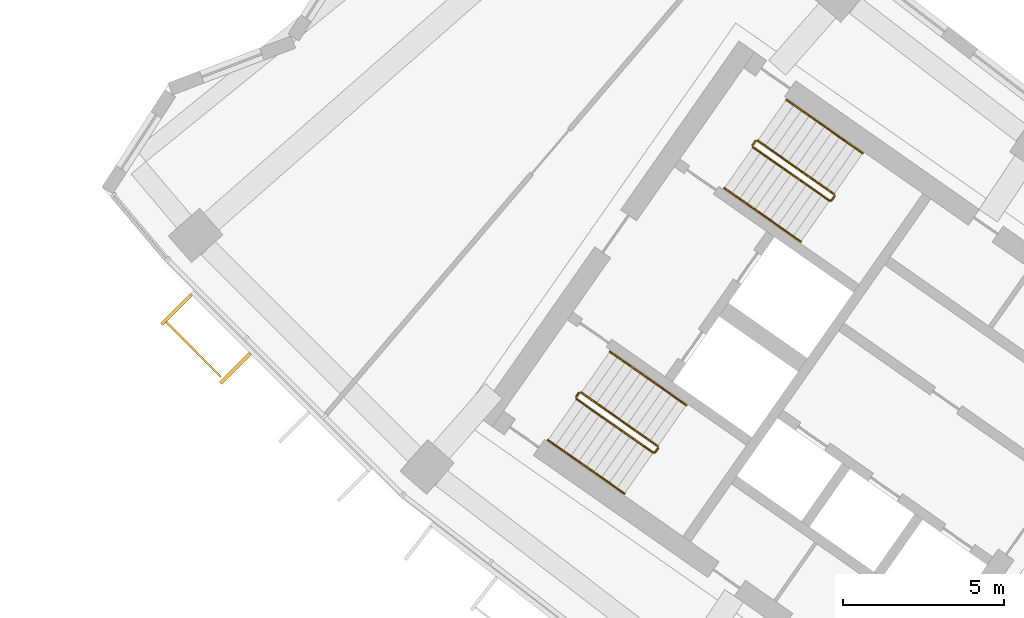
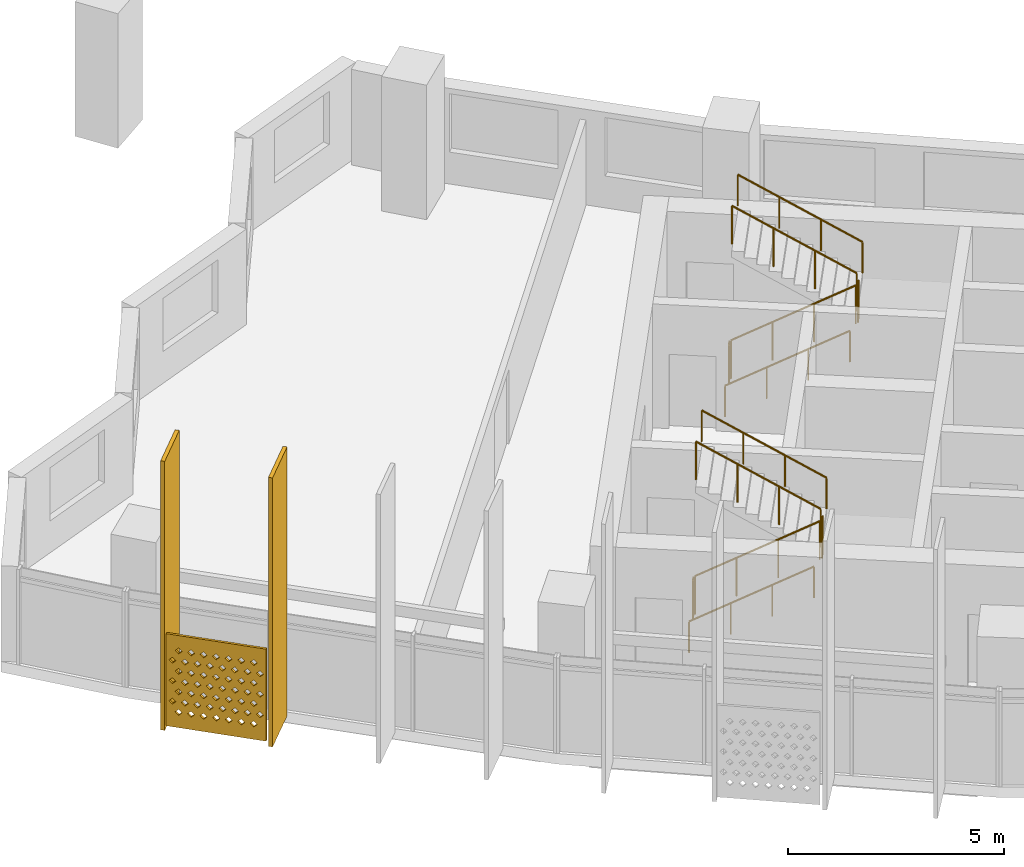
# One storey, part 24 of 27: 10 railings, 3 shading devices.
"""IFC4 building model written with IfcOpenShell, lengths in metres."""

from ifc_helpers import new_model, si_unit, direction, frame, origin, origin_2d, place, context, subcontext, project, spatial, polyline, rectangle, circle, outline, extrude, material, material_profile, profile_set, type_object, element, save


model = new_model("IFC4")

# Units and contexts
model_context = context("Model", 3, precision=1e-05, world=origin(), true_north=direction((0.0, 1.0)))
body_context = subcontext(model_context, "Body", "Model", "MODEL_VIEW")
ifc_project = project(units=[si_unit("LENGTHUNIT", "METRE"), si_unit("AREAUNIT", "SQUARE_METRE"), si_unit("VOLUMEUNIT", "CUBIC_METRE"), si_unit("PLANEANGLEUNIT", "RADIAN"), si_unit("MASSUNIT", "GRAM", prefix="KILO")], contexts=[model_context])

# Site, building, storey
site_placement = place(None, origin())
site = spatial("IfcSite", under=ifc_project, at=site_placement, CompositionType="ELEMENT")
building_placement = place(site_placement, origin())
building = spatial("IfcBuilding", under=site, at=building_placement, Name="Qamariyya Broadcast Tower", CompositionType="ELEMENT")
storey_placement = place(building_placement, frame((0.0, 0.0, 179.699951171875)))
storey = spatial("IfcBuildingStorey", under=building, at=storey_placement, Name="L42", CompositionType="ELEMENT", Elevation=179.699951171875)

# Shading device
ifc_material_1 = material(Name="Perforated glazed terracotta", Category="masonry")
ifc_material_profile_1 = material_profile(ifc_material_1, outline(polyline([(-1.199951171875, -1.300048828125), (1.199951171875, -1.300048828125), (1.199951171875, 1.300048828125), (-1.199951171875, 1.300048828125), (-1.199951171875, -1.300048828125)]), holes=[polyline([(-0.81494140625, -0.86669921875), (-0.89990234375, -0.78173828125), (-0.985107421875, -0.86669921875), (-0.89990234375, -0.95166015625), (-0.81494140625, -0.86669921875)]), polyline([(-0.514892578125, -0.86669921875), (-0.60009765625, -0.78173828125), (-0.68505859375, -0.86669921875), (-0.60009765625, -0.95166015625), (-0.514892578125, -0.86669921875)]), polyline([(-0.215087890625, -0.86669921875), (-0.300048828125, -0.78173828125), (-0.385009765625, -0.86669921875), (-0.300048828125, -0.95166015625), (-0.215087890625, -0.86669921875)]), polyline([(0.0849609375, -0.86669921875), (0.0, -0.78173828125), (-0.0849609375, -0.86669921875), (0.0, -0.95166015625), (0.0849609375, -0.86669921875)]), polyline([(0.385009765625, -0.86669921875), (0.300048828125, -0.78173828125), (0.215087890625, -0.86669921875), (0.300048828125, -0.95166015625), (0.385009765625, -0.86669921875)]), polyline([(0.68505859375, -0.86669921875), (0.60009765625, -0.78173828125), (0.514892578125, -0.86669921875), (0.60009765625, -0.95166015625), (0.68505859375, -0.86669921875)]), polyline([(0.985107421875, -0.86669921875), (0.89990234375, -0.78173828125), (0.81494140625, -0.86669921875), (0.89990234375, -0.95166015625), (0.985107421875, -0.86669921875)]), polyline([(-0.965087890625, -0.577880859375), (-1.050048828125, -0.49267578125), (-1.135009765625, -0.577880859375), (-1.050048828125, -0.662841796875), (-0.965087890625, -0.577880859375)]), polyline([(-0.6650390625, -0.577880859375), (-0.75, -0.49267578125), (-0.8349609375, -0.577880859375), (-0.75, -0.662841796875), (-0.6650390625, -0.577880859375)]), polyline([(-0.364990234375, -0.577880859375), (-0.449951171875, -0.49267578125), (-0.534912109375, -0.577880859375), (-0.449951171875, -0.662841796875), (-0.364990234375, -0.577880859375)]), polyline([(-0.06494140625, -0.577880859375), (-0.14990234375, -0.49267578125), (-0.235107421875, -0.577880859375), (-0.14990234375, -0.662841796875), (-0.06494140625, -0.577880859375)]), polyline([(0.235107421875, -0.577880859375), (0.14990234375, -0.49267578125), (0.06494140625, -0.577880859375), (0.14990234375, -0.662841796875), (0.235107421875, -0.577880859375)]), polyline([(0.534912109375, -0.577880859375), (0.449951171875, -0.49267578125), (0.364990234375, -0.577880859375), (0.449951171875, -0.662841796875), (0.534912109375, -0.577880859375)]), polyline([(0.8349609375, -0.577880859375), (0.75, -0.49267578125), (0.6650390625, -0.577880859375), (0.75, -0.662841796875), (0.8349609375, -0.577880859375)]), polyline([(1.135009765625, -0.577880859375), (1.050048828125, -0.49267578125), (0.965087890625, -0.577880859375), (1.050048828125, -0.662841796875), (1.135009765625, -0.577880859375)]), polyline([(-0.81494140625, -0.288818359375), (-0.89990234375, -0.203857421875), (-0.985107421875, -0.288818359375), (-0.89990234375, -0.373779296875), (-0.81494140625, -0.288818359375)]), polyline([(-0.514892578125, -0.288818359375), (-0.60009765625, -0.203857421875), (-0.68505859375, -0.288818359375), (-0.60009765625, -0.373779296875), (-0.514892578125, -0.288818359375)]), polyline([(-0.215087890625, -0.288818359375), (-0.300048828125, -0.203857421875), (-0.385009765625, -0.288818359375), (-0.300048828125, -0.373779296875), (-0.215087890625, -0.288818359375)]), polyline([(0.0849609375, -0.288818359375), (0.0, -0.203857421875), (-0.0849609375, -0.288818359375), (0.0, -0.373779296875), (0.0849609375, -0.288818359375)]), polyline([(0.385009765625, -0.288818359375), (0.300048828125, -0.203857421875), (0.215087890625, -0.288818359375), (0.300048828125, -0.373779296875), (0.385009765625, -0.288818359375)]), polyline([(0.68505859375, -0.288818359375), (0.60009765625, -0.203857421875), (0.514892578125, -0.288818359375), (0.60009765625, -0.373779296875), (0.68505859375, -0.288818359375)]), polyline([(0.985107421875, -0.288818359375), (0.89990234375, -0.203857421875), (0.81494140625, -0.288818359375), (0.89990234375, -0.373779296875), (0.985107421875, -0.288818359375)]), polyline([(-0.965087890625, 0.0), (-1.050048828125, 0.0849609375), (-1.135009765625, 0.0), (-1.050048828125, -0.0849609375), (-0.965087890625, 0.0)]), polyline([(-0.6650390625, 0.0), (-0.75, 0.0849609375), (-0.8349609375, 0.0), (-0.75, -0.0849609375), (-0.6650390625, 0.0)]), polyline([(-0.364990234375, 0.0), (-0.449951171875, 0.0849609375), (-0.534912109375, 0.0), (-0.449951171875, -0.0849609375), (-0.364990234375, 0.0)]), polyline([(-0.06494140625, 0.0), (-0.14990234375, 0.0849609375), (-0.235107421875, 0.0), (-0.14990234375, -0.0849609375), (-0.06494140625, 0.0)]), polyline([(0.235107421875, 0.0), (0.14990234375, 0.0849609375), (0.06494140625, 0.0), (0.14990234375, -0.0849609375), (0.235107421875, 0.0)]), polyline([(0.534912109375, 0.0), (0.449951171875, 0.0849609375), (0.364990234375, 0.0), (0.449951171875, -0.0849609375), (0.534912109375, 0.0)]), polyline([(0.8349609375, 0.0), (0.75, 0.0849609375), (0.6650390625, 0.0), (0.75, -0.0849609375), (0.8349609375, 0.0)]), polyline([(1.135009765625, 0.0), (1.050048828125, 0.0849609375), (0.965087890625, 0.0), (1.050048828125, -0.0849609375), (1.135009765625, 0.0)]), polyline([(-0.81494140625, 0.288818359375), (-0.89990234375, 0.373779296875), (-0.985107421875, 0.288818359375), (-0.89990234375, 0.203857421875), (-0.81494140625, 0.288818359375)]), polyline([(-0.514892578125, 0.288818359375), (-0.60009765625, 0.373779296875), (-0.68505859375, 0.288818359375), (-0.60009765625, 0.203857421875), (-0.514892578125, 0.288818359375)]), polyline([(-0.215087890625, 0.288818359375), (-0.300048828125, 0.373779296875), (-0.385009765625, 0.288818359375), (-0.300048828125, 0.203857421875), (-0.215087890625, 0.288818359375)]), polyline([(0.0849609375, 0.288818359375), (0.0, 0.373779296875), (-0.0849609375, 0.288818359375), (0.0, 0.203857421875), (0.0849609375, 0.288818359375)]), polyline([(0.385009765625, 0.288818359375), (0.300048828125, 0.373779296875), (0.215087890625, 0.288818359375), (0.300048828125, 0.203857421875), (0.385009765625, 0.288818359375)]), polyline([(0.68505859375, 0.288818359375), (0.60009765625, 0.373779296875), (0.514892578125, 0.288818359375), (0.60009765625, 0.203857421875), (0.68505859375, 0.288818359375)]), polyline([(0.985107421875, 0.288818359375), (0.89990234375, 0.373779296875), (0.81494140625, 0.288818359375), (0.89990234375, 0.203857421875), (0.985107421875, 0.288818359375)]), polyline([(-0.965087890625, 0.577880859375), (-1.050048828125, 0.662841796875), (-1.135009765625, 0.577880859375), (-1.050048828125, 0.49267578125), (-0.965087890625, 0.577880859375)]), polyline([(-0.6650390625, 0.577880859375), (-0.75, 0.662841796875), (-0.8349609375, 0.577880859375), (-0.75, 0.49267578125), (-0.6650390625, 0.577880859375)]), polyline([(-0.364990234375, 0.577880859375), (-0.449951171875, 0.662841796875), (-0.534912109375, 0.577880859375), (-0.449951171875, 0.49267578125), (-0.364990234375, 0.577880859375)]), polyline([(-0.06494140625, 0.577880859375), (-0.14990234375, 0.662841796875), (-0.235107421875, 0.577880859375), (-0.14990234375, 0.49267578125), (-0.06494140625, 0.577880859375)]), polyline([(0.235107421875, 0.577880859375), (0.14990234375, 0.662841796875), (0.06494140625, 0.577880859375), (0.14990234375, 0.49267578125), (0.235107421875, 0.577880859375)]), polyline([(0.534912109375, 0.577880859375), (0.449951171875, 0.662841796875), (0.364990234375, 0.577880859375), (0.449951171875, 0.49267578125), (0.534912109375, 0.577880859375)]), polyline([(0.8349609375, 0.577880859375), (0.75, 0.662841796875), (0.6650390625, 0.577880859375), (0.75, 0.49267578125), (0.8349609375, 0.577880859375)]), polyline([(1.135009765625, 0.577880859375), (1.050048828125, 0.662841796875), (0.965087890625, 0.577880859375), (1.050048828125, 0.49267578125), (1.135009765625, 0.577880859375)]), polyline([(-0.81494140625, 0.86669921875), (-0.89990234375, 0.95166015625), (-0.985107421875, 0.86669921875), (-0.89990234375, 0.78173828125), (-0.81494140625, 0.86669921875)]), polyline([(-0.514892578125, 0.86669921875), (-0.60009765625, 0.95166015625), (-0.68505859375, 0.86669921875), (-0.60009765625, 0.78173828125), (-0.514892578125, 0.86669921875)]), polyline([(-0.215087890625, 0.86669921875), (-0.300048828125, 0.95166015625), (-0.385009765625, 0.86669921875), (-0.300048828125, 0.78173828125), (-0.215087890625, 0.86669921875)]), polyline([(0.0849609375, 0.86669921875), (0.0, 0.95166015625), (-0.0849609375, 0.86669921875), (0.0, 0.78173828125), (0.0849609375, 0.86669921875)]), polyline([(0.385009765625, 0.86669921875), (0.300048828125, 0.95166015625), (0.215087890625, 0.86669921875), (0.300048828125, 0.78173828125), (0.385009765625, 0.86669921875)]), polyline([(0.68505859375, 0.86669921875), (0.60009765625, 0.95166015625), (0.514892578125, 0.86669921875), (0.60009765625, 0.78173828125), (0.68505859375, 0.86669921875)]), polyline([(0.985107421875, 0.86669921875), (0.89990234375, 0.95166015625), (0.81494140625, 0.86669921875), (0.89990234375, 0.78173828125), (0.985107421875, 0.86669921875)])]))
ifc_profile_set_1 = profile_set([ifc_material_profile_1], Name="Perforated glazed terracotta")
shading_device_type_1 = type_object("IfcShadingDeviceType", Name="Perforated terracotta screen 2400 x 2600", PredefinedType="USERDEFINED", material=ifc_profile_set_1)
shading_device_placement = place(storey_placement, frame((-58.49609375, -54.78369140625, 1.35009765625), z_axis=(-0.709141608176, -0.705066081692, 0.0), x_axis=(0.705066081692, -0.709141608176, 0.0)))
element("IfcShadingDevice", 1, at=shading_device_placement, inside=storey, type_object=shading_device_type_1, Name="e-scr-L42-01-0", ObjectType="SCREEN", PredefinedType="USERDEFINED", context=body_context, shape_type="SweptSolid", body=[
    extrude(outline(polyline([(-1.199951171875, -1.300048828125), (1.199951171875, -1.300048828125), (1.199951171875, 1.300048828125), (-1.199951171875, 1.300048828125), (-1.199951171875, -1.300048828125)]), holes=[polyline([(-0.81494140625, -0.86669921875), (-0.89990234375, -0.78173828125), (-0.985107421875, -0.86669921875), (-0.89990234375, -0.95166015625), (-0.81494140625, -0.86669921875)]), polyline([(-0.514892578125, -0.86669921875), (-0.60009765625, -0.78173828125), (-0.68505859375, -0.86669921875), (-0.60009765625, -0.95166015625), (-0.514892578125, -0.86669921875)]), polyline([(-0.215087890625, -0.86669921875), (-0.300048828125, -0.78173828125), (-0.385009765625, -0.86669921875), (-0.300048828125, -0.95166015625), (-0.215087890625, -0.86669921875)]), polyline([(0.0849609375, -0.86669921875), (0.0, -0.78173828125), (-0.0849609375, -0.86669921875), (0.0, -0.95166015625), (0.0849609375, -0.86669921875)]), polyline([(0.385009765625, -0.86669921875), (0.300048828125, -0.78173828125), (0.215087890625, -0.86669921875), (0.300048828125, -0.95166015625), (0.385009765625, -0.86669921875)]), polyline([(0.68505859375, -0.86669921875), (0.60009765625, -0.78173828125), (0.514892578125, -0.86669921875), (0.60009765625, -0.95166015625), (0.68505859375, -0.86669921875)]), polyline([(0.985107421875, -0.86669921875), (0.89990234375, -0.78173828125), (0.81494140625, -0.86669921875), (0.89990234375, -0.95166015625), (0.985107421875, -0.86669921875)]), polyline([(-0.965087890625, -0.577880859375), (-1.050048828125, -0.49267578125), (-1.135009765625, -0.577880859375), (-1.050048828125, -0.662841796875), (-0.965087890625, -0.577880859375)]), polyline([(-0.6650390625, -0.577880859375), (-0.75, -0.49267578125), (-0.8349609375, -0.577880859375), (-0.75, -0.662841796875), (-0.6650390625, -0.577880859375)]), polyline([(-0.364990234375, -0.577880859375), (-0.449951171875, -0.49267578125), (-0.534912109375, -0.577880859375), (-0.449951171875, -0.662841796875), (-0.364990234375, -0.577880859375)]), polyline([(-0.06494140625, -0.577880859375), (-0.14990234375, -0.49267578125), (-0.235107421875, -0.577880859375), (-0.14990234375, -0.662841796875), (-0.06494140625, -0.577880859375)]), polyline([(0.235107421875, -0.577880859375), (0.14990234375, -0.49267578125), (0.06494140625, -0.577880859375), (0.14990234375, -0.662841796875), (0.235107421875, -0.577880859375)]), polyline([(0.534912109375, -0.577880859375), (0.449951171875, -0.49267578125), (0.364990234375, -0.577880859375), (0.449951171875, -0.662841796875), (0.534912109375, -0.577880859375)]), polyline([(0.8349609375, -0.577880859375), (0.75, -0.49267578125), (0.6650390625, -0.577880859375), (0.75, -0.662841796875), (0.8349609375, -0.577880859375)]), polyline([(1.135009765625, -0.577880859375), (1.050048828125, -0.49267578125), (0.965087890625, -0.577880859375), (1.050048828125, -0.662841796875), (1.135009765625, -0.577880859375)]), polyline([(-0.81494140625, -0.288818359375), (-0.89990234375, -0.203857421875), (-0.985107421875, -0.288818359375), (-0.89990234375, -0.373779296875), (-0.81494140625, -0.288818359375)]), polyline([(-0.514892578125, -0.288818359375), (-0.60009765625, -0.203857421875), (-0.68505859375, -0.288818359375), (-0.60009765625, -0.373779296875), (-0.514892578125, -0.288818359375)]), polyline([(-0.215087890625, -0.288818359375), (-0.300048828125, -0.203857421875), (-0.385009765625, -0.288818359375), (-0.300048828125, -0.373779296875), (-0.215087890625, -0.288818359375)]), polyline([(0.0849609375, -0.288818359375), (0.0, -0.203857421875), (-0.0849609375, -0.288818359375), (0.0, -0.373779296875), (0.0849609375, -0.288818359375)]), polyline([(0.385009765625, -0.288818359375), (0.300048828125, -0.203857421875), (0.215087890625, -0.288818359375), (0.300048828125, -0.373779296875), (0.385009765625, -0.288818359375)]), polyline([(0.68505859375, -0.288818359375), (0.60009765625, -0.203857421875), (0.514892578125, -0.288818359375), (0.60009765625, -0.373779296875), (0.68505859375, -0.288818359375)]), polyline([(0.985107421875, -0.288818359375), (0.89990234375, -0.203857421875), (0.81494140625, -0.288818359375), (0.89990234375, -0.373779296875), (0.985107421875, -0.288818359375)]), polyline([(-0.965087890625, 0.0), (-1.050048828125, 0.0849609375), (-1.135009765625, 0.0), (-1.050048828125, -0.0849609375), (-0.965087890625, 0.0)]), polyline([(-0.6650390625, 0.0), (-0.75, 0.0849609375), (-0.8349609375, 0.0), (-0.75, -0.0849609375), (-0.6650390625, 0.0)]), polyline([(-0.364990234375, 0.0), (-0.449951171875, 0.0849609375), (-0.534912109375, 0.0), (-0.449951171875, -0.0849609375), (-0.364990234375, 0.0)]), polyline([(-0.06494140625, 0.0), (-0.14990234375, 0.0849609375), (-0.235107421875, 0.0), (-0.14990234375, -0.0849609375), (-0.06494140625, 0.0)]), polyline([(0.235107421875, 0.0), (0.14990234375, 0.0849609375), (0.06494140625, 0.0), (0.14990234375, -0.0849609375), (0.235107421875, 0.0)]), polyline([(0.534912109375, 0.0), (0.449951171875, 0.0849609375), (0.364990234375, 0.0), (0.449951171875, -0.0849609375), (0.534912109375, 0.0)]), polyline([(0.8349609375, 0.0), (0.75, 0.0849609375), (0.6650390625, 0.0), (0.75, -0.0849609375), (0.8349609375, 0.0)]), polyline([(1.135009765625, 0.0), (1.050048828125, 0.0849609375), (0.965087890625, 0.0), (1.050048828125, -0.0849609375), (1.135009765625, 0.0)]), polyline([(-0.81494140625, 0.288818359375), (-0.89990234375, 0.373779296875), (-0.985107421875, 0.288818359375), (-0.89990234375, 0.203857421875), (-0.81494140625, 0.288818359375)]), polyline([(-0.514892578125, 0.288818359375), (-0.60009765625, 0.373779296875), (-0.68505859375, 0.288818359375), (-0.60009765625, 0.203857421875), (-0.514892578125, 0.288818359375)]), polyline([(-0.215087890625, 0.288818359375), (-0.300048828125, 0.373779296875), (-0.385009765625, 0.288818359375), (-0.300048828125, 0.203857421875), (-0.215087890625, 0.288818359375)]), polyline([(0.0849609375, 0.288818359375), (0.0, 0.373779296875), (-0.0849609375, 0.288818359375), (0.0, 0.203857421875), (0.0849609375, 0.288818359375)]), polyline([(0.385009765625, 0.288818359375), (0.300048828125, 0.373779296875), (0.215087890625, 0.288818359375), (0.300048828125, 0.203857421875), (0.385009765625, 0.288818359375)]), polyline([(0.68505859375, 0.288818359375), (0.60009765625, 0.373779296875), (0.514892578125, 0.288818359375), (0.60009765625, 0.203857421875), (0.68505859375, 0.288818359375)]), polyline([(0.985107421875, 0.288818359375), (0.89990234375, 0.373779296875), (0.81494140625, 0.288818359375), (0.89990234375, 0.203857421875), (0.985107421875, 0.288818359375)]), polyline([(-0.965087890625, 0.577880859375), (-1.050048828125, 0.662841796875), (-1.135009765625, 0.577880859375), (-1.050048828125, 0.49267578125), (-0.965087890625, 0.577880859375)]), polyline([(-0.6650390625, 0.577880859375), (-0.75, 0.662841796875), (-0.8349609375, 0.577880859375), (-0.75, 0.49267578125), (-0.6650390625, 0.577880859375)]), polyline([(-0.364990234375, 0.577880859375), (-0.449951171875, 0.662841796875), (-0.534912109375, 0.577880859375), (-0.449951171875, 0.49267578125), (-0.364990234375, 0.577880859375)]), polyline([(-0.06494140625, 0.577880859375), (-0.14990234375, 0.662841796875), (-0.235107421875, 0.577880859375), (-0.14990234375, 0.49267578125), (-0.06494140625, 0.577880859375)]), polyline([(0.235107421875, 0.577880859375), (0.14990234375, 0.662841796875), (0.06494140625, 0.577880859375), (0.14990234375, 0.49267578125), (0.235107421875, 0.577880859375)]), polyline([(0.534912109375, 0.577880859375), (0.449951171875, 0.662841796875), (0.364990234375, 0.577880859375), (0.449951171875, 0.49267578125), (0.534912109375, 0.577880859375)]), polyline([(0.8349609375, 0.577880859375), (0.75, 0.662841796875), (0.6650390625, 0.577880859375), (0.75, 0.49267578125), (0.8349609375, 0.577880859375)]), polyline([(1.135009765625, 0.577880859375), (1.050048828125, 0.662841796875), (0.965087890625, 0.577880859375), (1.050048828125, 0.49267578125), (1.135009765625, 0.577880859375)]), polyline([(-0.81494140625, 0.86669921875), (-0.89990234375, 0.95166015625), (-0.985107421875, 0.86669921875), (-0.89990234375, 0.78173828125), (-0.81494140625, 0.86669921875)]), polyline([(-0.514892578125, 0.86669921875), (-0.60009765625, 0.95166015625), (-0.68505859375, 0.86669921875), (-0.60009765625, 0.78173828125), (-0.514892578125, 0.86669921875)]), polyline([(-0.215087890625, 0.86669921875), (-0.300048828125, 0.95166015625), (-0.385009765625, 0.86669921875), (-0.300048828125, 0.78173828125), (-0.215087890625, 0.86669921875)]), polyline([(0.0849609375, 0.86669921875), (0.0, 0.95166015625), (-0.0849609375, 0.86669921875), (0.0, 0.78173828125), (0.0849609375, 0.86669921875)]), polyline([(0.385009765625, 0.86669921875), (0.300048828125, 0.95166015625), (0.215087890625, 0.86669921875), (0.300048828125, 0.78173828125), (0.385009765625, 0.86669921875)]), polyline([(0.68505859375, 0.86669921875), (0.60009765625, 0.95166015625), (0.514892578125, 0.86669921875), (0.60009765625, 0.78173828125), (0.68505859375, 0.86669921875)]), polyline([(0.985107421875, 0.86669921875), (0.89990234375, 0.95166015625), (0.81494140625, 0.86669921875), (0.89990234375, 0.78173828125), (0.985107421875, 0.86669921875)])]), origin(), (0.0, 0.0, 1.0), 0.059814453125),
])

# Railings
ifc_material_2 = material(Name="Painted steel", Category="steel")
railing_type_1 = type_object("IfcRailingType", Name="Stair guard", PredefinedType="GUARDRAIL", material=ifc_material_2)
railing_1_placement = place(storey_placement, frame((-41.146728515625, -48.52490234375, 0.1728515625)))
element("IfcRailing", 2, at=railing_1_placement, inside=storey, type_object=railing_type_1, Name="L42 ST-W2 stair guard 1", PredefinedType="GUARDRAIL", context=body_context, shape_type="SweptSolid", body=[
    extrude(circle(Radius=0.02392578125, at=origin_2d()), frame((0.0, 0.0, 1.076171875), z_axis=(0.703770094002, -0.492783725636, 0.511734163933), x_axis=(0.573575343427, 0.819152809562, 0.0)), (0.0, 0.0, 1.0), 3.37548828125),
    extrude(circle(Radius=0.02392578125, at=origin_2d()), frame((2.37548828125, -1.663330078125, 2.80322265625), z_axis=(0.985059694769, 0.172213233351, 0.0), x_axis=(-0.172213233351, 0.985059694769, 0.0)), (0.0, 0.0, 1.0), 0.07080078125),
    extrude(circle(Radius=0.02392578125, at=origin_2d()), frame((2.4453125, -1.651123046875, 2.80322265625), z_axis=(0.572588637393, 0.819842821722, 0.0), x_axis=(-0.819842821722, 0.572588637393, 0.0)), (0.0, 0.0, 1.0), 0.150146484375),
    extrude(circle(Radius=0.02099609375, at=origin_2d()), origin(), (0.0, 0.0, 1.0), 1.052001953125),
    extrude(circle(Radius=0.02099609375, at=origin_2d()), frame((0.791748046875, -0.554443359375, 0.57568359375)), (0.0, 0.0, 1.0), 1.052001953125),
    extrude(circle(Radius=0.02099609375, at=origin_2d()), frame((1.583740234375, -1.10888671875, 1.151611328125)), (0.0, 0.0, 1.0), 1.052001953125),
    extrude(circle(Radius=0.02099609375, at=origin_2d()), frame((2.37548828125, -1.663330078125, 1.727294921875)), (0.0, 0.0, 1.0), 1.052001953125),
    extrude(circle(Radius=0.02099609375, at=origin_2d()), frame((2.4453125, -1.651123046875, 1.727294921875)), (0.0, 0.0, 1.0), 1.052001953125),
    extrude(circle(Radius=0.02099609375, at=origin_2d()), frame((2.53125, -1.528076171875, 1.727294921875)), (0.0, 0.0, 1.0), 1.052001953125),
])
railing_2_placement = place(storey_placement, frame((-38.627685546875, -49.9833984375, 2.07275390625)))
element("IfcRailing", 3, at=railing_2_placement, inside=storey, type_object=railing_type_1, Name="L42 ST-W2 stair guard 2", PredefinedType="GUARDRAIL", context=body_context, shape_type="SweptSolid", body=[
    extrude(circle(Radius=0.02392578125, at=origin_2d()), frame((0.0, 0.0, 1.076171875), z_axis=(-0.703770094002, 0.492783725636, 0.511734163933), x_axis=(-0.573575343427, -0.819152809562, 0.0)), (0.0, 0.0, 1.0), 3.37548828125),
    extrude(circle(Radius=0.02099609375, at=origin_2d()), origin(), (0.0, 0.0, 1.0), 1.052001953125),
    extrude(circle(Radius=0.02099609375, at=origin_2d()), frame((-0.791748046875, 0.554443359375, 0.57568359375)), (0.0, 0.0, 1.0), 1.052001953125),
    extrude(circle(Radius=0.02099609375, at=origin_2d()), frame((-1.583740234375, 1.10888671875, 1.151611328125)), (0.0, 0.0, 1.0), 1.052001953125),
    extrude(circle(Radius=0.02099609375, at=origin_2d()), frame((-2.37548828125, 1.663330078125, 1.727294921875)), (0.0, 0.0, 1.0), 1.052001953125),
])
railing_3_placement = place(storey_placement, frame((-41.158935546875, -48.455322265625, 0.0)))
element("IfcRailing", 4, at=railing_3_placement, inside=storey, type_object=railing_type_1, Name="L42 ST-W2 stair guard 3", PredefinedType="GUARDRAIL", context=body_context, shape_type="SweptSolid", body=[
    extrude(circle(Radius=0.02392578125, at=origin_2d()), frame((0.0, 0.0, 1.076171875), z_axis=(0.572588637393, 0.819842821722, 0.0), x_axis=(-0.819842821722, 0.572588637393, 0.0)), (0.0, 0.0, 1.0), 0.150146484375),
    extrude(circle(Radius=0.02099609375, at=origin_2d()), origin(), (0.0, 0.0, 1.0), 1.052001953125),
    extrude(circle(Radius=0.02099609375, at=origin_2d()), frame((0.0859375, 0.123046875, 0.0)), (0.0, 0.0, 1.0), 1.052001953125),
])
railing_4_placement = place(storey_placement, frame((-46.624267578125, -56.34765625, 0.1728515625)))
element("IfcRailing", 5, at=railing_4_placement, inside=storey, type_object=railing_type_1, Name="L42 ST-W1 stair guard 1", PredefinedType="GUARDRAIL", context=body_context, shape_type="SweptSolid", body=[
    extrude(circle(Radius=0.02392578125, at=origin_2d()), frame((0.0, 0.0, 1.076171875), z_axis=(0.703745009021, -0.492838488332, 0.511715923826), x_axis=(0.573631830683, 0.819113253969, 0.0)), (0.0, 0.0, 1.0), 3.37548828125),
    extrude(circle(Radius=0.02392578125, at=origin_2d()), frame((2.37548828125, -1.66357421875, 2.80322265625), z_axis=(0.984363469884, 0.176149252506, 0.0), x_axis=(-0.176149252506, 0.984363469884, 0.0)), (0.0, 0.0, 1.0), 0.07080078125),
    extrude(circle(Radius=0.02392578125, at=origin_2d()), frame((2.445068359375, -1.651123046875, 2.80322265625), z_axis=(0.574444878118, 0.818543268254, 0.0), x_axis=(-0.818543268254, 0.574444878118, 0.0)), (0.0, 0.0, 1.0), 0.150146484375),
    extrude(circle(Radius=0.02099609375, at=origin_2d()), origin(), (0.0, 0.0, 1.0), 1.052001953125),
    extrude(circle(Radius=0.02099609375, at=origin_2d()), frame((0.791748046875, -0.554443359375, 0.57568359375)), (0.0, 0.0, 1.0), 1.052001953125),
    extrude(circle(Radius=0.02099609375, at=origin_2d()), frame((1.583740234375, -1.109130859375, 1.151611328125)), (0.0, 0.0, 1.0), 1.052001953125),
    extrude(circle(Radius=0.02099609375, at=origin_2d()), frame((2.37548828125, -1.66357421875, 1.727294921875)), (0.0, 0.0, 1.0), 1.052001953125),
    extrude(circle(Radius=0.02099609375, at=origin_2d()), frame((2.445068359375, -1.651123046875, 1.727294921875)), (0.0, 0.0, 1.0), 1.052001953125),
    extrude(circle(Radius=0.02099609375, at=origin_2d()), frame((2.53125, -1.5283203125, 1.727294921875)), (0.0, 0.0, 1.0), 1.052001953125),
])
railing_5_placement = place(storey_placement, frame((-44.10546875, -57.806396484375, 2.07275390625)))
element("IfcRailing", 6, at=railing_5_placement, inside=storey, type_object=railing_type_1, Name="L42 ST-W1 stair guard 2", PredefinedType="GUARDRAIL", context=body_context, shape_type="SweptSolid", body=[
    extrude(circle(Radius=0.02392578125, at=origin_2d()), frame((0.0, 0.0, 1.076171875), z_axis=(-0.703770094002, 0.492783725636, 0.511734163933), x_axis=(-0.573575343427, -0.819152809562, 0.0)), (0.0, 0.0, 1.0), 3.37548828125),
    extrude(circle(Radius=0.02099609375, at=origin_2d()), origin(), (0.0, 0.0, 1.0), 1.052001953125),
    extrude(circle(Radius=0.02099609375, at=origin_2d()), frame((-0.791748046875, 0.554443359375, 0.57568359375)), (0.0, 0.0, 1.0), 1.052001953125),
    extrude(circle(Radius=0.02099609375, at=origin_2d()), frame((-1.583740234375, 1.10888671875, 1.151611328125)), (0.0, 0.0, 1.0), 1.052001953125),
    extrude(circle(Radius=0.02099609375, at=origin_2d()), frame((-2.37548828125, 1.663330078125, 1.727294921875)), (0.0, 0.0, 1.0), 1.052001953125),
])
railing_6_placement = place(storey_placement, frame((-46.63671875, -56.278076171875, 0.0)))
element("IfcRailing", 7, at=railing_6_placement, inside=storey, type_object=railing_type_1, Name="L42 ST-W1 stair guard 3", PredefinedType="GUARDRAIL", context=body_context, shape_type="SweptSolid", body=[
    extrude(circle(Radius=0.02392578125, at=origin_2d()), frame((0.0, 0.0, 1.076171875), z_axis=(0.574444878118, 0.818543268254, 0.0), x_axis=(-0.818543268254, 0.574444878118, 0.0)), (0.0, 0.0, 1.0), 0.150146484375),
    extrude(circle(Radius=0.02099609375, at=origin_2d()), origin(), (0.0, 0.0, 1.0), 1.052001953125),
    extrude(circle(Radius=0.02099609375, at=origin_2d()), frame((0.086181640625, 0.122802734375, 0.0)), (0.0, 0.0, 1.0), 1.052001953125),
])
ifc_material_3 = material(Name="Stainless steel", Category="steel")
railing_type_2 = type_object("IfcRailingType", Name="Stair handrail", PredefinedType="HANDRAIL", material=ifc_material_3)
railing_7_placement = place(storey_placement, frame((-42.03564453125, -49.79443359375, 0.1728515625)))
element("IfcRailing", 8, at=railing_7_placement, inside=storey, type_object=railing_type_2, Name="L42 ST-W2 stair handrail 1", PredefinedType="HANDRAIL", context=body_context, shape_type="SweptSolid", body=[
    extrude(circle(Radius=0.02392578125, at=origin_2d()), frame((0.0, 0.0, 0.8759765625), z_axis=(0.703745009021, -0.492838488332, 0.511715923826), x_axis=(0.573631830683, 0.819113253969, 0.0)), (0.0, 0.0, 1.0), 3.37548828125),
    extrude(circle(Radius=0.02099609375, at=origin_2d()), origin(), (0.0, 0.0, 1.0), 0.851806640625),
    extrude(circle(Radius=0.02099609375, at=origin_2d()), frame((0.791748046875, -0.554443359375, 0.57568359375)), (0.0, 0.0, 1.0), 0.851806640625),
    extrude(circle(Radius=0.02099609375, at=origin_2d()), frame((1.583740234375, -1.109130859375, 1.151611328125)), (0.0, 0.0, 1.0), 0.851806640625),
    extrude(circle(Radius=0.02099609375, at=origin_2d()), frame((2.37548828125, -1.66357421875, 1.727294921875)), (0.0, 0.0, 1.0), 0.851806640625),
])
railing_8_placement = place(storey_placement, frame((-37.73876953125, -48.7138671875, 2.07275390625)))
element("IfcRailing", 9, at=railing_8_placement, inside=storey, type_object=railing_type_2, Name="L42 ST-W2 stair handrail 2", PredefinedType="HANDRAIL", context=body_context, shape_type="SweptSolid", body=[
    extrude(circle(Radius=0.02392578125, at=origin_2d()), frame((0.0, 0.0, 0.8759765625), z_axis=(-0.703745009021, 0.492838488332, 0.511715923826), x_axis=(-0.573631830683, -0.819113253969, 0.0)), (0.0, 0.0, 1.0), 3.37548828125),
    extrude(circle(Radius=0.02099609375, at=origin_2d()), origin(), (0.0, 0.0, 1.0), 0.851806640625),
    extrude(circle(Radius=0.02099609375, at=origin_2d()), frame((-0.791748046875, 0.554443359375, 0.57568359375)), (0.0, 0.0, 1.0), 0.851806640625),
    extrude(circle(Radius=0.02099609375, at=origin_2d()), frame((-1.583740234375, 1.109130859375, 1.151611328125)), (0.0, 0.0, 1.0), 0.851806640625),
    extrude(circle(Radius=0.02099609375, at=origin_2d()), frame((-2.37548828125, 1.66357421875, 1.727294921875)), (0.0, 0.0, 1.0), 0.851806640625),
])
railing_9_placement = place(storey_placement, frame((-47.513427734375, -57.617431640625, 0.1728515625)))
element("IfcRailing", 10, at=railing_9_placement, inside=storey, type_object=railing_type_2, Name="L42 ST-W1 stair handrail 1", PredefinedType="HANDRAIL", context=body_context, shape_type="SweptSolid", body=[
    extrude(circle(Radius=0.02392578125, at=origin_2d()), frame((0.0, 0.0, 0.8759765625), z_axis=(0.703770094002, -0.492783725636, 0.511734163933), x_axis=(0.573575343427, 0.819152809562, 0.0)), (0.0, 0.0, 1.0), 3.37548828125),
    extrude(circle(Radius=0.02099609375, at=origin_2d()), origin(), (0.0, 0.0, 1.0), 0.851806640625),
    extrude(circle(Radius=0.02099609375, at=origin_2d()), frame((0.791748046875, -0.554443359375, 0.57568359375)), (0.0, 0.0, 1.0), 0.851806640625),
    extrude(circle(Radius=0.02099609375, at=origin_2d()), frame((1.583740234375, -1.10888671875, 1.151611328125)), (0.0, 0.0, 1.0), 0.851806640625),
    extrude(circle(Radius=0.02099609375, at=origin_2d()), frame((2.37548828125, -1.663330078125, 1.727294921875)), (0.0, 0.0, 1.0), 0.851806640625),
])
railing_10_placement = place(storey_placement, frame((-43.21630859375, -56.53662109375, 2.07275390625)))
element("IfcRailing", 11, at=railing_10_placement, inside=storey, type_object=railing_type_2, Name="L42 ST-W1 stair handrail 2", PredefinedType="HANDRAIL", context=body_context, shape_type="SweptSolid", body=[
    extrude(circle(Radius=0.02392578125, at=origin_2d()), frame((0.0, 0.0, 0.8759765625), z_axis=(-0.703770094002, 0.492783725636, 0.511734163933), x_axis=(-0.573575343427, -0.819152809562, 0.0)), (0.0, 0.0, 1.0), 3.37548828125),
    extrude(circle(Radius=0.02099609375, at=origin_2d()), origin(), (0.0, 0.0, 1.0), 0.851806640625),
    extrude(circle(Radius=0.02099609375, at=origin_2d()), frame((-0.791748046875, 0.554443359375, 0.57568359375)), (0.0, 0.0, 1.0), 0.851806640625),
    extrude(circle(Radius=0.02099609375, at=origin_2d()), frame((-1.583740234375, 1.10888671875, 1.151611328125)), (0.0, 0.0, 1.0), 0.851806640625),
    extrude(circle(Radius=0.02099609375, at=origin_2d()), frame((-2.37548828125, 1.663330078125, 1.727294921875)), (0.0, 0.0, 1.0), 0.851806640625),
])

# Shading devices
ifc_material_4 = material(Name="Glazed terracotta", Category="masonry")
ifc_material_profile_2 = material_profile(ifc_material_4, rectangle(XDim=1.300048828125, YDim=0.10009765625, at=origin_2d()))
ifc_profile_set_2 = profile_set([ifc_material_profile_2], Name="Glazed terracotta")
shading_device_type_2 = type_object("IfcShadingDeviceType", Name="Terracotta fin 100 x 1300", PredefinedType="USERDEFINED", material=ifc_profile_set_2)
for number, where, z_axis, x_axis, name in (
    (12, (-59.047607421875, -53.5673828125, 0.0), (0.0, 0.0, 1.0), (-0.707106781187, -0.707106781187, 0.0), "e-fin-L42-01-0"),
    (13, (-57.220947265625, -55.39404296875, 0.0), (0.0, 0.0, 1.0), (-0.707106781187, -0.707106781187, 0.0), "e-fin-L42-01-1"),
):
    element("IfcShadingDevice", number, at=place(storey_placement, frame(where, z_axis=z_axis, x_axis=x_axis)), inside=storey, type_object=shading_device_type_2, Name=name, ObjectType="FIN", PredefinedType="USERDEFINED", context=body_context, shape_type="SweptSolid", body=[
        extrude(rectangle(XDim=1.300048828125, YDim=0.10009765625, at=origin_2d()), origin(), (0.0, 0.0, 1.0), 7.60009765625),
    ])

save(model, "model.ifc")
